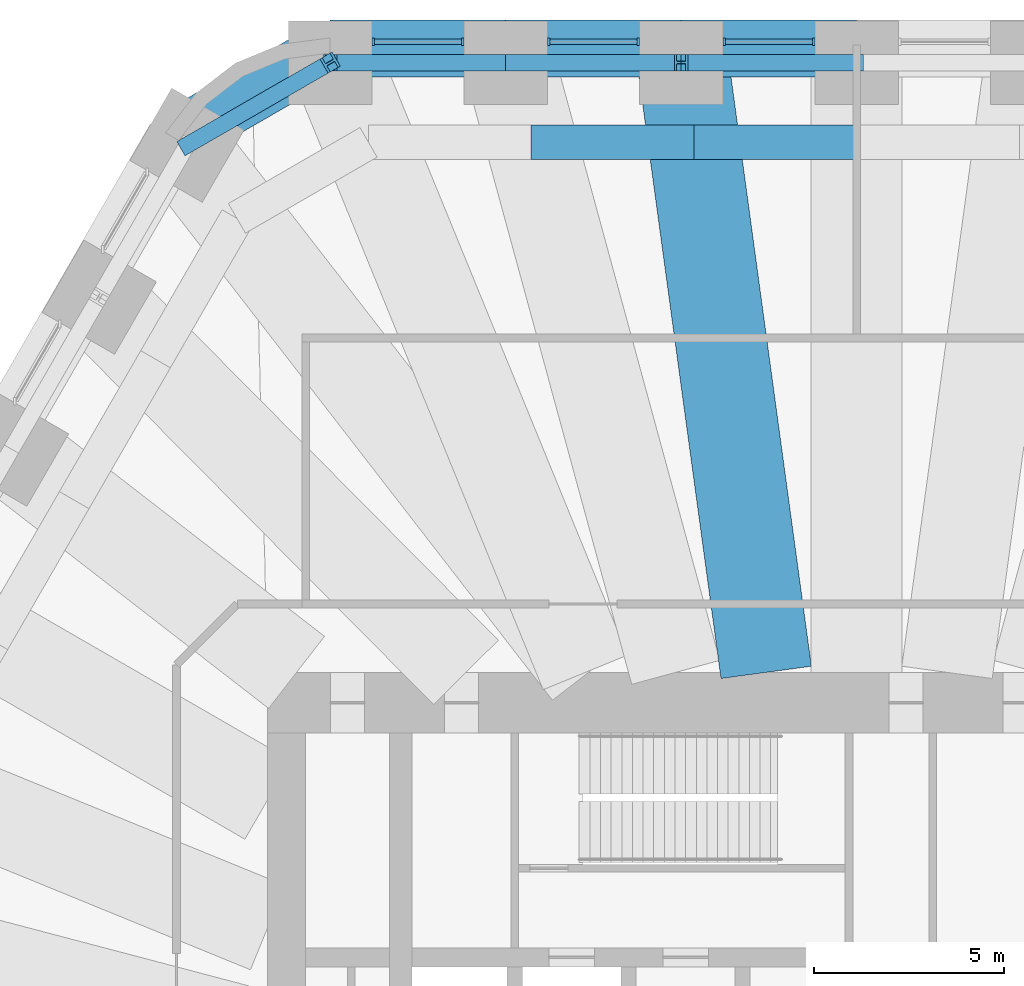
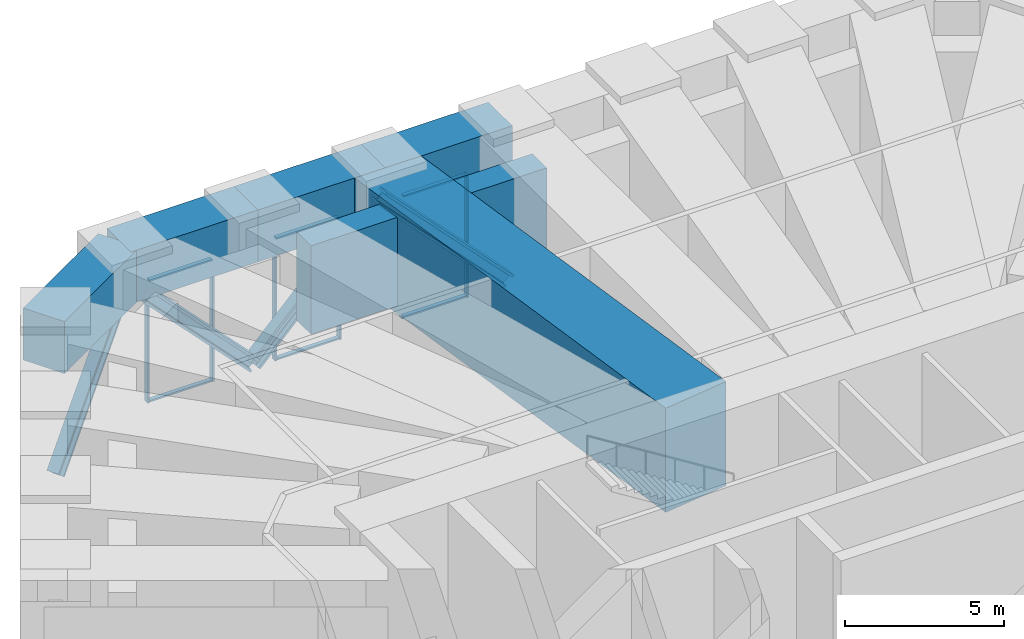
# One storey, part 7 of 14: 16 members, 7 beams, 3 elements without a shape of their own.
"""IFC4 building model written with IfcOpenShell, lengths in metres."""

from ifc_helpers import new_model, si_unit, direction, frame, origin, origin_2d, place, context, subcontext, project, spatial, rectangle, i_section, extrude, material, material_profile, profile_set, type_object, element, aggregate, save


model = new_model("IFC4")

# Units and contexts
model_context = context("Model", 3, precision=1e-05, world=origin(), true_north=direction((0.0, 1.0)))
body_context = subcontext(model_context, "Body", "Model", "MODEL_VIEW")
ifc_project = project(units=[si_unit("LENGTHUNIT", "METRE"), si_unit("AREAUNIT", "SQUARE_METRE"), si_unit("VOLUMEUNIT", "CUBIC_METRE"), si_unit("PLANEANGLEUNIT", "RADIAN"), si_unit("MASSUNIT", "GRAM", prefix="KILO")], contexts=[model_context])

# Site, building, storey
site_placement = place(None, origin())
site = spatial("IfcSite", under=ifc_project, at=site_placement, CompositionType="ELEMENT")
building_placement = place(site_placement, origin())
building = spatial("IfcBuilding", under=site, at=building_placement, Name="Tarfa Lantern Tower", CompositionType="ELEMENT")
storey_placement = place(building_placement, frame((0.0, 0.0, 299.5)))
storey = spatial("IfcBuildingStorey", under=building, at=storey_placement, Name="L68", CompositionType="ELEMENT", Elevation=299.5)

# Members
ifc_material_1 = material(Name="Steel S460M", Category="steel")
ifc_material_profile_1 = material_profile(ifc_material_1, i_section(OverallWidth=0.431884765625, OverallDepth=0.498046875, WebThickness=0.0556640625, FlangeThickness=0.0888671875, FilletRadius=0.02001953125, at=origin_2d()), Name="HD400x744")
ifc_profile_set_1 = profile_set([ifc_material_profile_1], Name="Steel S460M")
member_type_1 = type_object("IfcMemberType", Name="BT3 HD400x744", PredefinedType="BRACE", material=ifc_profile_set_1)
member_1_placement = place(storey_placement, frame((0.0, 28.35009765625, 0.60009765625), z_axis=(-0.693397247337, 0.0, 0.720555519988), x_axis=(0.0, -1.0, 0.0)))
element("IfcMember", 1, at=member_1_placement, inside=storey, type_object=member_type_1, Name="Belt truss diagonal 11", PredefinedType="BRACE", context=body_context, shape_type="SweptSolid", body=[
    extrude(i_section(OverallWidth=0.431884765625, OverallDepth=0.498046875, WebThickness=0.0556640625, FlangeThickness=0.0888671875, FilletRadius=0.02001953125, at=origin_2d()), origin(), (0.0, 0.0, 1.0), 6.661376953125),
])
member_2_placement = place(storey_placement, frame((-9.237548828125, 28.35009765625, 0.60009765625), z_axis=(0.693378217486, 0.0, 0.720573832106), x_axis=(0.0, 1.0, 0.0)))
element("IfcMember", 2, at=member_2_placement, inside=storey, type_object=member_type_1, Name="Belt truss diagonal 12", PredefinedType="BRACE", context=body_context, shape_type="SweptSolid", body=[
    extrude(i_section(OverallWidth=0.431884765625, OverallDepth=0.498046875, WebThickness=0.0556640625, FlangeThickness=0.0888671875, FilletRadius=0.02001953125, at=origin_2d()), origin(), (0.0, 0.0, 1.0), 6.6611328125),
])
member_3_placement = place(storey_placement, frame((-9.237548828125, 28.35009765625, 0.60009765625), z_axis=(-0.693397247337, 0.0, 0.720555519988), x_axis=(0.0, -1.0, 0.0)))
element("IfcMember", 3, at=member_3_placement, inside=storey, type_object=member_type_1, Name="Belt truss diagonal 13", PredefinedType="BRACE", context=body_context, shape_type="SweptSolid", body=[
    extrude(i_section(OverallWidth=0.431884765625, OverallDepth=0.498046875, WebThickness=0.0556640625, FlangeThickness=0.0888671875, FilletRadius=0.02001953125, at=origin_2d()), origin(), (0.0, 0.0, 1.0), 6.661376953125),
])
member_4_placement = place(storey_placement, frame((-17.62353515625, 26.175048828125, 0.60009765625), z_axis=(0.581552074424, 0.335777539277, 0.740979506363), x_axis=(-0.500020430026, 0.866013608182, 0.0)))
element("IfcMember", 4, at=member_4_placement, inside=storey, type_object=member_type_1, Name="Belt truss diagonal 14", PredefinedType="BRACE", context=body_context, shape_type="SweptSolid", body=[
    extrude(i_section(OverallWidth=0.431884765625, OverallDepth=0.498046875, WebThickness=0.0556640625, FlangeThickness=0.0888671875, FilletRadius=0.02001953125, at=origin_2d()), origin(), (0.0, 0.0, 1.0), 6.4775390625),
])

# Curtain wall, members
ifc_material_2 = material(Name="Aluminium framed curtain wall", Category="aluminium")
curtain_wall_type = type_object("IfcCurtainWallType", Name="CW6 LOUVRED SCREEN WALL 4700", PredefinedType="USERDEFINED", material=ifc_material_2)
curtain_wall_1_placement = place(storey_placement, origin())
curtain_wall_1 = element("IfcCurtainWall", 5, at=curtain_wall_1_placement, inside=storey, type_object=curtain_wall_type, Name="CW6 N L68", ObjectType="CURTAIN WALL", PredefinedType="USERDEFINED")
ifc_material_3 = material(Name="Aluminium mullion", Category="aluminium")
ifc_material_profile_2 = material_profile(ifc_material_3, rectangle(XDim=0.06494140625, YDim=0.199951171875, at=origin_2d()), Name="AL MULLION 65x200")
ifc_profile_set_2 = profile_set([ifc_material_profile_2], Name="Aluminium mullion")
member_type_2 = type_object("IfcMemberType", Name="CWM1 MULLION 65x200", PredefinedType="MULLION", material=ifc_profile_set_2)
member_5_placement = place(storey_placement, frame((-1.132568359375, 28.89990234375, 0.0), z_axis=(0.0, 0.0, 1.0), x_axis=(1.0, 0.0, 0.0)))
member_5 = element("IfcMember", 6, at=member_5_placement, type_object=member_type_2, Name="CW6 mullion 1", PredefinedType="MULLION", context=body_context, shape_type="SweptSolid", body=[
    extrude(rectangle(XDim=0.06494140625, YDim=0.199951171875, at=origin_2d()), origin(), (0.0, 0.0, 1.0), 4.699951171875),
])
member_6_placement = place(storey_placement, frame((-3.486328125, 28.89990234375, 0.0), z_axis=(0.0, 0.0, 1.0), x_axis=(1.0, 0.0, 0.0)))
member_6 = element("IfcMember", 7, at=member_6_placement, type_object=member_type_2, Name="CW6 mullion 2", PredefinedType="MULLION", context=body_context, shape_type="SweptSolid", body=[
    extrude(rectangle(XDim=0.06494140625, YDim=0.199951171875, at=origin_2d()), origin(), (0.0, 0.0, 1.0), 4.699951171875),
])

curtain_wall_2_placement = place(storey_placement, origin())
curtain_wall_2 = element("IfcCurtainWall", 8, at=curtain_wall_2_placement, inside=storey, type_object=curtain_wall_type, Name="CW6 N L68", ObjectType="CURTAIN WALL", PredefinedType="USERDEFINED")
member_7_placement = place(storey_placement, frame((-5.751220703125, 28.89990234375, 0.0), z_axis=(0.0, 0.0, 1.0), x_axis=(1.0, 0.0, 0.0)))
member_7 = element("IfcMember", 9, at=member_7_placement, type_object=member_type_2, Name="CW6 mullion 1", PredefinedType="MULLION", context=body_context, shape_type="SweptSolid", body=[
    extrude(rectangle(XDim=0.06494140625, YDim=0.199951171875, at=origin_2d()), origin(), (0.0, 0.0, 1.0), 4.699951171875),
])
member_8_placement = place(storey_placement, frame((-8.105224609375, 28.89990234375, 0.0), z_axis=(0.0, 0.0, 1.0), x_axis=(1.0, 0.0, 0.0)))
member_8 = element("IfcMember", 10, at=member_8_placement, type_object=member_type_2, Name="CW6 mullion 2", PredefinedType="MULLION", context=body_context, shape_type="SweptSolid", body=[
    extrude(rectangle(XDim=0.06494140625, YDim=0.199951171875, at=origin_2d()), origin(), (0.0, 0.0, 1.0), 4.699951171875),
])

curtain_wall_3_placement = place(storey_placement, origin())
curtain_wall_3 = element("IfcCurtainWall", 11, at=curtain_wall_3_placement, inside=storey, type_object=curtain_wall_type, Name="CW6 N L68", ObjectType="CURTAIN WALL", PredefinedType="USERDEFINED")
member_9_placement = place(storey_placement, frame((-10.3701171875, 28.89990234375, 0.0), z_axis=(0.0, 0.0, 1.0), x_axis=(1.0, 0.0, 0.0)))
member_9 = element("IfcMember", 12, at=member_9_placement, type_object=member_type_2, Name="CW6 mullion 1", PredefinedType="MULLION", context=body_context, shape_type="SweptSolid", body=[
    extrude(rectangle(XDim=0.06494140625, YDim=0.199951171875, at=origin_2d()), origin(), (0.0, 0.0, 1.0), 4.699951171875),
])
member_10_placement = place(storey_placement, frame((-12.723876953125, 28.89990234375, 0.0), z_axis=(0.0, 0.0, 1.0), x_axis=(1.0, 0.0, 0.0)))
member_10 = element("IfcMember", 13, at=member_10_placement, type_object=member_type_2, Name="CW6 mullion 2", PredefinedType="MULLION", context=body_context, shape_type="SweptSolid", body=[
    extrude(rectangle(XDim=0.06494140625, YDim=0.199951171875, at=origin_2d()), origin(), (0.0, 0.0, 1.0), 4.699951171875),
])

# Member
ifc_material_4 = material(Name="Aluminium transom", Category="aluminium")
ifc_material_profile_3 = material_profile(ifc_material_4, rectangle(XDim=0.14990234375, YDim=0.06494140625, at=origin_2d()), Name="AL TRANSOM 150x65")
ifc_profile_set_3 = profile_set([ifc_material_profile_3], Name="Aluminium transom")
member_type_3 = type_object("IfcMemberType", Name="CWT1 TRANSOM 150x65", PredefinedType="USERDEFINED", material=ifc_profile_set_3)
member_11_placement = place(storey_placement, frame((-1.1650390625, 28.89990234375, 0.032470703125), z_axis=(-1.0, 0.0, 0.0), x_axis=(0.0, -1.0, 0.0)))
member_11 = element("IfcMember", 14, at=member_11_placement, type_object=member_type_3, Name="CW6 transom 1.1", ObjectType="TRANSOM", PredefinedType="USERDEFINED", context=body_context, shape_type="SweptSolid", body=[
    extrude(rectangle(XDim=0.14990234375, YDim=0.06494140625, at=origin_2d()), origin(), (0.0, 0.0, 1.0), 2.288818359375),
])

member_12_placement = place(storey_placement, frame((-1.1650390625, 28.89990234375, 4.66748046875), z_axis=(-1.0, 0.0, 0.0), x_axis=(0.0, -1.0, 0.0)))
member_12 = element("IfcMember", 15, at=member_12_placement, type_object=member_type_3, Name="CW6 transom 1.2", ObjectType="TRANSOM", PredefinedType="USERDEFINED", context=body_context, shape_type="SweptSolid", body=[
    extrude(rectangle(XDim=0.14990234375, YDim=0.06494140625, at=origin_2d()), origin(), (0.0, 0.0, 1.0), 2.288818359375),
])

aggregate(curtain_wall_1, [member_5, member_6, member_11, member_12])

member_13_placement = place(storey_placement, frame((-5.78369140625, 28.89990234375, 0.032470703125), z_axis=(-1.0, 0.0, 0.0), x_axis=(0.0, -1.0, 0.0)))
member_13 = element("IfcMember", 16, at=member_13_placement, type_object=member_type_3, Name="CW6 transom 1.1", ObjectType="TRANSOM", PredefinedType="USERDEFINED", context=body_context, shape_type="SweptSolid", body=[
    extrude(rectangle(XDim=0.14990234375, YDim=0.06494140625, at=origin_2d()), origin(), (0.0, 0.0, 1.0), 2.288818359375),
])

member_14_placement = place(storey_placement, frame((-5.78369140625, 28.89990234375, 4.66748046875), z_axis=(-1.0, 0.0, 0.0), x_axis=(0.0, -1.0, 0.0)))
member_14 = element("IfcMember", 17, at=member_14_placement, type_object=member_type_3, Name="CW6 transom 1.2", ObjectType="TRANSOM", PredefinedType="USERDEFINED", context=body_context, shape_type="SweptSolid", body=[
    extrude(rectangle(XDim=0.14990234375, YDim=0.06494140625, at=origin_2d()), origin(), (0.0, 0.0, 1.0), 2.288818359375),
])

aggregate(curtain_wall_2, [member_7, member_8, member_13, member_14])

member_15_placement = place(storey_placement, frame((-10.402587890625, 28.89990234375, 0.032470703125), z_axis=(-1.0, 0.0, 0.0), x_axis=(0.0, -1.0, 0.0)))
member_15 = element("IfcMember", 18, at=member_15_placement, type_object=member_type_3, Name="CW6 transom 1.1", ObjectType="TRANSOM", PredefinedType="USERDEFINED", context=body_context, shape_type="SweptSolid", body=[
    extrude(rectangle(XDim=0.14990234375, YDim=0.06494140625, at=origin_2d()), origin(), (0.0, 0.0, 1.0), 2.288818359375),
])

member_16_placement = place(storey_placement, frame((-10.402587890625, 28.89990234375, 4.66748046875), z_axis=(-1.0, 0.0, 0.0), x_axis=(0.0, -1.0, 0.0)))
member_16 = element("IfcMember", 19, at=member_16_placement, type_object=member_type_3, Name="CW6 transom 1.2", ObjectType="TRANSOM", PredefinedType="USERDEFINED", context=body_context, shape_type="SweptSolid", body=[
    extrude(rectangle(XDim=0.14990234375, YDim=0.06494140625, at=origin_2d()), origin(), (0.0, 0.0, 1.0), 2.288818359375),
])

aggregate(curtain_wall_3, [member_9, member_10, member_15, member_16])

# Beams
ifc_material_5 = material(Name="Concrete C80/95", Category="concrete")
ifc_material_profile_4 = material_profile(ifc_material_5, rectangle(XDim=1.5, YDim=2.0, at=origin_2d()), Name="RC 1500x2000")
ifc_profile_set_4 = profile_set([ifc_material_profile_4], Name="Concrete C80/95")
beam_type_1 = type_object("IfcBeamType", Name="RB3 RC 1500x2000", PredefinedType="BEAM", material=ifc_profile_set_4)
beam_1_placement = place(storey_placement, frame((0.0, 28.719970703125, 5.699951171875), z_axis=(-1.0, 0.0, 0.0), x_axis=(0.0, -1.0, 0.0)))
element("IfcBeam", 20, at=beam_1_placement, inside=storey, type_object=beam_type_1, Name="Edge beam N3", PredefinedType="BEAM", context=body_context, shape_type="SweptSolid", body=[
    extrude(rectangle(XDim=1.5, YDim=2.0, at=origin_2d()), origin(), (0.0, 0.0, 1.0), 4.618896484375),
])
beam_2_placement = place(storey_placement, frame((-4.618896484375, 28.719970703125, 5.699951171875), z_axis=(-1.0, 0.0, 0.0), x_axis=(0.0, -1.0, 0.0)))
element("IfcBeam", 21, at=beam_2_placement, inside=storey, type_object=beam_type_1, Name="Edge beam N4", PredefinedType="BEAM", context=body_context, shape_type="SweptSolid", body=[
    extrude(rectangle(XDim=1.5, YDim=2.0, at=origin_2d()), origin(), (0.0, 0.0, 1.0), 4.61865234375),
])
beam_3_placement = place(storey_placement, frame((-9.237548828125, 28.719970703125, 5.699951171875), z_axis=(-1.0, 0.0, 0.0), x_axis=(0.0, -1.0, 0.0)))
element("IfcBeam", 22, at=beam_3_placement, inside=storey, type_object=beam_type_1, Name="Edge beam N5", PredefinedType="BEAM", context=body_context, shape_type="SweptSolid", body=[
    extrude(rectangle(XDim=1.5, YDim=2.0, at=origin_2d()), origin(), (0.0, 0.0, 1.0), 4.618896484375),
])
beam_4_placement = place(storey_placement, frame((-13.8564453125, 28.719970703125, 5.699951171875), z_axis=(-0.866038294681, -0.499977671647, 0.0), x_axis=(0.499977671647, -0.866038294681, 0.0)))
element("IfcBeam", 23, at=beam_4_placement, inside=storey, type_object=beam_type_1, Name="Edge beam N6", PredefinedType="BEAM", context=body_context, shape_type="SweptSolid", body=[
    extrude(rectangle(XDim=1.5, YDim=2.0, at=origin_2d()), origin(), (0.0, 0.0, 1.0), 4.719970703125),
])
ifc_material_profile_5 = material_profile(ifc_material_5, rectangle(XDim=0.89990234375, YDim=3.39990234375, at=origin_2d()), Name="RC 900x3400")
ifc_profile_set_5 = profile_set([ifc_material_profile_5], Name="Concrete C80/95")
beam_type_2 = type_object("IfcBeamType", Name="RG3 RC 900x3400", PredefinedType="BEAM", material=ifc_profile_set_5)
for number, where, z_axis, x_axis, name in (
    (24, (0.0, 26.25, 4.699951171875), (-1.0, 0.0, 0.0), (0.0, -1.0, 0.0), "Ring girder N3"),
    (25, (-4.281982421875, 26.25, 4.699951171875), (-1.0, 0.0, 0.0), (0.0, -1.0, 0.0), "Ring girder N4"),
):
    element("IfcBeam", number, at=place(storey_placement, frame(where, z_axis=z_axis, x_axis=x_axis)), inside=storey, type_object=beam_type_2, Name=name, PredefinedType="BEAM", context=body_context, shape_type="SweptSolid", body=[
        extrude(rectangle(XDim=0.89990234375, YDim=3.39990234375, at=origin_2d()), origin(), (0.0, 0.0, 1.0), 4.281982421875),
    ])
ifc_material_profile_6 = material_profile(ifc_material_5, rectangle(XDim=2.39990234375, YDim=4.0, at=origin_2d()), Name="RC 2400x4000")
ifc_profile_set_6 = profile_set([ifc_material_profile_6], Name="Concrete C80/95")
beam_type_3 = type_object("IfcBeamType", Name="TG3 RC 2400x4000", PredefinedType="BEAM", material=ifc_profile_set_6)
beam_5_placement = place(storey_placement, frame((-4.618896484375, 28.719970703125, 4.699951171875), z_axis=(0.135109260201, -0.990830705927, 0.0), x_axis=(0.990830705927, 0.135109260201, 0.0)))
element("IfcBeam", 26, at=beam_5_placement, inside=storey, type_object=beam_type_3, Name="Transfer girder N4", PredefinedType="BEAM", context=body_context, shape_type="SweptSolid", body=[
    extrude(rectangle(XDim=2.39990234375, YDim=4.0, at=origin_2d()), origin(), (0.0, 0.0, 1.0), 16.57177734375),
])

save(model, "model.ifc")
